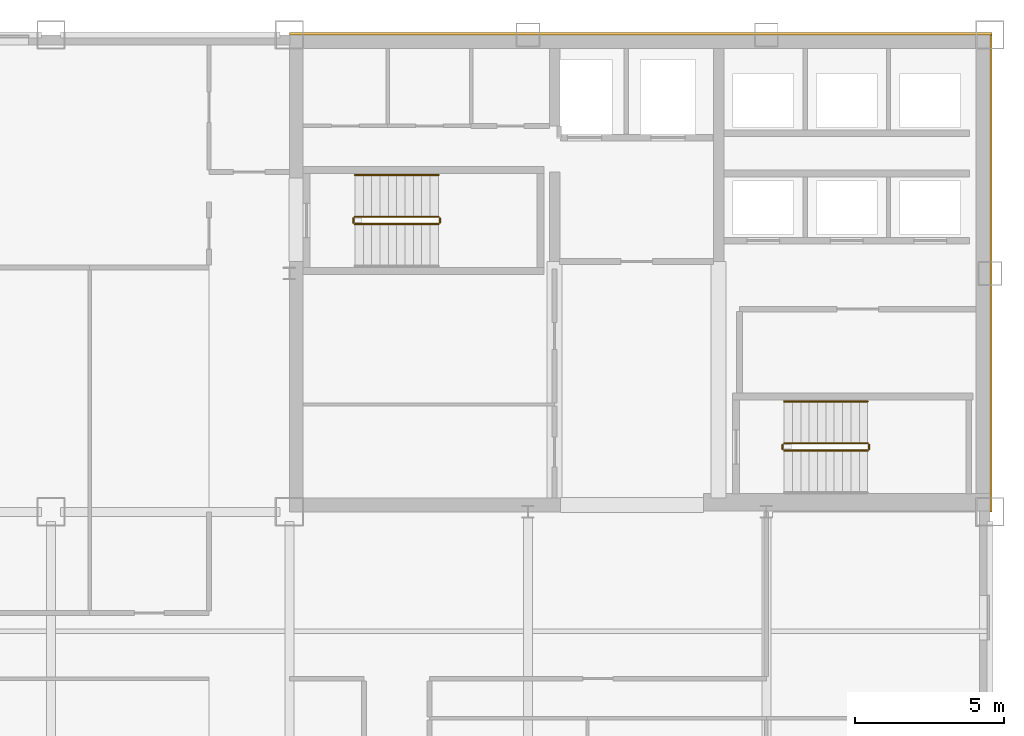
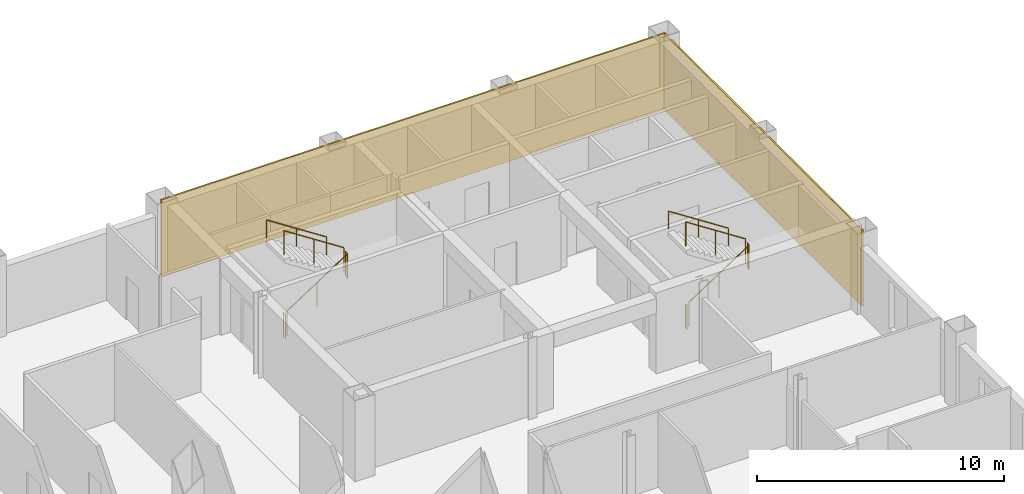
# One storey, part 9 of 9: 10 railings, 2 coverings.
"""IFC4 building model written with IfcOpenShell, lengths in metres."""

from ifc_helpers import new_model, si_unit, direction, frame, origin, origin_2d, place, context, subcontext, project, spatial, rectangle, circle, extrude, material, layer, layer_set, type_object, element, save


model = new_model("IFC4")

# Units and contexts
model_context = context("Model", 3, precision=1e-05, world=origin(), true_north=direction((0.0, 1.0)))
body_context = subcontext(model_context, "Body", "Model", "MODEL_VIEW")
ifc_project = project(units=[si_unit("LENGTHUNIT", "METRE"), si_unit("AREAUNIT", "SQUARE_METRE"), si_unit("VOLUMEUNIT", "CUBIC_METRE"), si_unit("PLANEANGLEUNIT", "RADIAN"), si_unit("MASSUNIT", "GRAM", prefix="KILO")], contexts=[model_context])

# Site, building, storey
site_placement = place(None, origin())
site = spatial("IfcSite", under=ifc_project, at=site_placement, CompositionType="ELEMENT")
building_placement = place(site_placement, origin())
building = spatial("IfcBuilding", under=site, at=building_placement, Name="Qianrong Seaharbour Tower", CompositionType="ELEMENT")
storey_placement = place(building_placement, frame((0.0, 0.0, 269.800048828125)))
storey = spatial("IfcBuildingStorey", under=building, at=storey_placement, Name="L65", CompositionType="ELEMENT", Elevation=269.800048828125)

# Coverings
ifc_material_1 = material(Name="Unitised red brick cladding on Precast concrete C45/55", Category="masonry")
ifc_layer = layer(ifc_material_1, 0.080078125)
ifc_layer_set = layer_set([ifc_layer], Name="Unitised red brick cladding on Precast concrete C45/55")
covering_type = type_object("IfcCoveringType", Name="COV-CLAD-RED-BRICK-80", PredefinedType="CLADDING", material=ifc_layer_set)
covering_1_placement = place(storey_placement, frame((52.2900390625, 52.0400390625, 0.0), z_axis=(0.0, 0.0, 1.0), x_axis=(1.0, 0.0, 0.0)))
element("IfcCovering", 1, at=covering_1_placement, inside=storey, type_object=covering_type, Name="L65 North Core Brick Veneer Cladding", PredefinedType="CLADDING", context=body_context, shape_type="SweptSolid", body=[
    extrude(rectangle(XDim=23.580078125, YDim=0.080078125, at=origin_2d()), origin(), (0.0, 0.0, 1.0), 3.77490234375),
])
covering_2_placement = place(storey_placement, frame((64.0400390625, 44.0, 0.0), z_axis=(0.0, 0.0, 1.0), x_axis=(1.0, 0.0, 0.0)))
element("IfcCovering", 2, at=covering_2_placement, inside=storey, type_object=covering_type, Name="L65 East Core Brick Veneer Cladding", PredefinedType="CLADDING", context=body_context, shape_type="SweptSolid", body=[
    extrude(rectangle(XDim=0.080078125, YDim=16.0, at=origin_2d()), origin(), (0.0, 0.0, 1.0), 3.77490234375),
])

# Railings
ifc_material_2 = material(Name="Galvanized painted steel SN400B stair guard", Category="steel")
railing_type_1 = type_object("IfcRailingType", Name="RAIL-STAIR-GUARD-1220", PredefinedType="GUARDRAIL", material=ifc_material_2)
railing_1_placement = place(storey_placement, frame((42.699951171875, 45.64990234375, 0.181884765625)))
element("IfcRailing", 3, at=railing_1_placement, inside=storey, type_object=railing_type_1, Name="L65 ST-1 stair guard 1", PredefinedType="GUARDRAIL", context=body_context, shape_type="SweptSolid", body=[
    extrude(circle(Radius=0.02392578125, at=origin_2d()), frame((0.0, 0.0, 1.19580078125), z_axis=(0.838705829183, 0.0, 0.544584733623), x_axis=(0.0, 1.0, 0.0)), (0.0, 0.0, 1.0), 3.338623046875),
    extrude(circle(Radius=0.02099609375, at=origin_2d()), origin(), (0.0, 0.0, 1.0), 1.171875),
    extrude(circle(Radius=0.02099609375, at=origin_2d()), frame((1.39990234375, 0.0, 0.9091796875)), (0.0, 0.0, 1.0), 1.171875),
    extrude(circle(Radius=0.02099609375, at=origin_2d()), frame((2.800048828125, 0.0, 1.818115234375)), (0.0, 0.0, 1.0), 1.171875),
])
railing_2_placement = place(storey_placement, frame((45.550048828125, 45.699951171875, 2.0)))
element("IfcRailing", 4, at=railing_2_placement, inside=storey, type_object=railing_type_1, Name="L65 ST-1 stair guard 2", PredefinedType="GUARDRAIL", context=body_context, shape_type="SweptSolid", body=[
    extrude(circle(Radius=0.02392578125, at=origin_2d()), frame((0.0, 0.0, 1.19580078125), z_axis=(0.0, 1.0, 0.0), x_axis=(-1.0, 0.0, 0.0)), (0.0, 0.0, 1.0), 0.150146484375),
    extrude(circle(Radius=0.02099609375, at=origin_2d()), origin(), (0.0, 0.0, 1.0), 1.171875),
    extrude(circle(Radius=0.02099609375, at=origin_2d()), frame((0.0, 0.150146484375, 0.0)), (0.0, 0.0, 1.0), 1.171875),
])
railing_3_placement = place(storey_placement, frame((45.5, 45.89990234375, 2.181884765625)))
element("IfcRailing", 5, at=railing_3_placement, inside=storey, type_object=railing_type_1, Name="L65 ST-1 stair guard 3", PredefinedType="GUARDRAIL", context=body_context, shape_type="SweptSolid", body=[
    extrude(circle(Radius=0.02392578125, at=origin_2d()), frame((0.0, 0.0, 1.19580078125), z_axis=(-0.838705829183, 0.0, 0.544584733623), x_axis=(0.0, -1.0, 0.0)), (0.0, 0.0, 1.0), 3.338623046875),
    extrude(circle(Radius=0.02099609375, at=origin_2d()), origin(), (0.0, 0.0, 1.0), 1.171875),
    extrude(circle(Radius=0.02099609375, at=origin_2d()), frame((-1.39990234375, 0.0, 0.9091796875)), (0.0, 0.0, 1.0), 1.171875),
    extrude(circle(Radius=0.02099609375, at=origin_2d()), frame((-2.800048828125, 0.0, 1.818115234375)), (0.0, 0.0, 1.0), 1.171875),
])
railing_4_placement = place(storey_placement, frame((42.64990234375, 45.699951171875, 0.0)))
element("IfcRailing", 6, at=railing_4_placement, inside=storey, type_object=railing_type_1, Name="L65 ST-1 stair guard 4", PredefinedType="GUARDRAIL", context=body_context, shape_type="SweptSolid", body=[
    extrude(circle(Radius=0.02392578125, at=origin_2d()), frame((0.0, 0.0, 1.19580078125), z_axis=(0.0, 1.0, 0.0), x_axis=(-1.0, 0.0, 0.0)), (0.0, 0.0, 1.0), 0.150146484375),
    extrude(circle(Radius=0.02099609375, at=origin_2d()), origin(), (0.0, 0.0, 1.0), 1.171875),
    extrude(circle(Radius=0.02099609375, at=origin_2d()), frame((0.0, 0.150146484375, 0.0)), (0.0, 0.0, 1.0), 1.171875),
])
railing_5_placement = place(storey_placement, frame((57.10009765625, 38.050048828125, 0.181884765625)))
element("IfcRailing", 7, at=railing_5_placement, inside=storey, type_object=railing_type_1, Name="L65 ST-2 stair guard 1", PredefinedType="GUARDRAIL", context=body_context, shape_type="SweptSolid", body=[
    extrude(circle(Radius=0.02392578125, at=origin_2d()), frame((0.0, 0.0, 1.19580078125), z_axis=(0.83868413941, 0.0, 0.544618136222), x_axis=(0.0, 1.0, 0.0)), (0.0, 0.0, 1.0), 3.33837890625),
    extrude(circle(Radius=0.02099609375, at=origin_2d()), origin(), (0.0, 0.0, 1.0), 1.171875),
    extrude(circle(Radius=0.02099609375, at=origin_2d()), frame((1.39990234375, 0.0, 0.9091796875)), (0.0, 0.0, 1.0), 1.171875),
    extrude(circle(Radius=0.02099609375, at=origin_2d()), frame((2.7998046875, 0.0, 1.818115234375)), (0.0, 0.0, 1.0), 1.171875),
])
railing_6_placement = place(storey_placement, frame((59.949951171875, 38.10009765625, 2.0)))
element("IfcRailing", 8, at=railing_6_placement, inside=storey, type_object=railing_type_1, Name="L65 ST-2 stair guard 2", PredefinedType="GUARDRAIL", context=body_context, shape_type="SweptSolid", body=[
    extrude(circle(Radius=0.02392578125, at=origin_2d()), frame((0.0, 0.0, 1.19580078125), z_axis=(0.0, 1.0, 0.0), x_axis=(-1.0, 0.0, 0.0)), (0.0, 0.0, 1.0), 0.14990234375),
    extrude(circle(Radius=0.02099609375, at=origin_2d()), origin(), (0.0, 0.0, 1.0), 1.171875),
    extrude(circle(Radius=0.02099609375, at=origin_2d()), frame((0.0, 0.14990234375, 0.0)), (0.0, 0.0, 1.0), 1.171875),
])
railing_7_placement = place(storey_placement, frame((59.89990234375, 38.300048828125, 2.181884765625)))
element("IfcRailing", 9, at=railing_7_placement, inside=storey, type_object=railing_type_1, Name="L65 ST-2 stair guard 3", PredefinedType="GUARDRAIL", context=body_context, shape_type="SweptSolid", body=[
    extrude(circle(Radius=0.02392578125, at=origin_2d()), frame((0.0, 0.0, 1.19580078125), z_axis=(-0.83868413941, 0.0, 0.544618136222), x_axis=(0.0, -1.0, 0.0)), (0.0, 0.0, 1.0), 3.33837890625),
    extrude(circle(Radius=0.02099609375, at=origin_2d()), origin(), (0.0, 0.0, 1.0), 1.171875),
    extrude(circle(Radius=0.02099609375, at=origin_2d()), frame((-1.39990234375, 0.0, 0.9091796875)), (0.0, 0.0, 1.0), 1.171875),
    extrude(circle(Radius=0.02099609375, at=origin_2d()), frame((-2.7998046875, 0.0, 1.818115234375)), (0.0, 0.0, 1.0), 1.171875),
])
railing_8_placement = place(storey_placement, frame((57.050048828125, 38.10009765625, 0.0)))
element("IfcRailing", 10, at=railing_8_placement, inside=storey, type_object=railing_type_1, Name="L65 ST-2 stair guard 4", PredefinedType="GUARDRAIL", context=body_context, shape_type="SweptSolid", body=[
    extrude(circle(Radius=0.02392578125, at=origin_2d()), frame((0.0, 0.0, 1.19580078125), z_axis=(0.0, 1.0, 0.0), x_axis=(-1.0, 0.0, 0.0)), (0.0, 0.0, 1.0), 0.14990234375),
    extrude(circle(Radius=0.02099609375, at=origin_2d()), origin(), (0.0, 0.0, 1.0), 1.171875),
    extrude(circle(Radius=0.02099609375, at=origin_2d()), frame((0.0, 0.14990234375, 0.0)), (0.0, 0.0, 1.0), 1.171875),
])
ifc_material_3 = material(Name="Stainless steel SUS316L continuous handrail", Category="steel")
railing_type_2 = type_object("IfcRailingType", Name="RAIL-STAIR-HANDRAIL-900", PredefinedType="HANDRAIL", material=ifc_material_3)
railing_9_placement = place(storey_placement, frame((45.5, 47.300048828125, 2.181884765625)))
element("IfcRailing", 11, at=railing_9_placement, inside=storey, type_object=railing_type_2, Name="L65 ST-1 stair handrail 2", PredefinedType="HANDRAIL", context=body_context, shape_type="SweptSolid", body=[
    extrude(circle(Radius=0.02392578125, at=origin_2d()), frame((0.0, 0.0, 0.8759765625), z_axis=(-0.838705829183, 0.0, 0.544584733623), x_axis=(0.0, -1.0, 0.0)), (0.0, 0.0, 1.0), 3.338623046875),
    extrude(circle(Radius=0.02099609375, at=origin_2d()), origin(), (0.0, 0.0, 1.0), 0.851806640625),
    extrude(circle(Radius=0.02099609375, at=origin_2d()), frame((-1.39990234375, 0.0, 0.9091796875)), (0.0, 0.0, 1.0), 0.851806640625),
    extrude(circle(Radius=0.02099609375, at=origin_2d()), frame((-2.800048828125, 0.0, 1.818115234375)), (0.0, 0.0, 1.0), 0.851806640625),
])
railing_10_placement = place(storey_placement, frame((59.89990234375, 39.699951171875, 2.181884765625)))
element("IfcRailing", 12, at=railing_10_placement, inside=storey, type_object=railing_type_2, Name="L65 ST-2 stair handrail 2", PredefinedType="HANDRAIL", context=body_context, shape_type="SweptSolid", body=[
    extrude(circle(Radius=0.02392578125, at=origin_2d()), frame((0.0, 0.0, 0.8759765625), z_axis=(-0.83868413941, 0.0, 0.544618136222), x_axis=(0.0, -1.0, 0.0)), (0.0, 0.0, 1.0), 3.33837890625),
    extrude(circle(Radius=0.02099609375, at=origin_2d()), origin(), (0.0, 0.0, 1.0), 0.851806640625),
    extrude(circle(Radius=0.02099609375, at=origin_2d()), frame((-1.39990234375, 0.0, 0.9091796875)), (0.0, 0.0, 1.0), 0.851806640625),
    extrude(circle(Radius=0.02099609375, at=origin_2d()), frame((-2.7998046875, 0.0, 1.818115234375)), (0.0, 0.0, 1.0), 0.851806640625),
])

save(model, "model.ifc")
